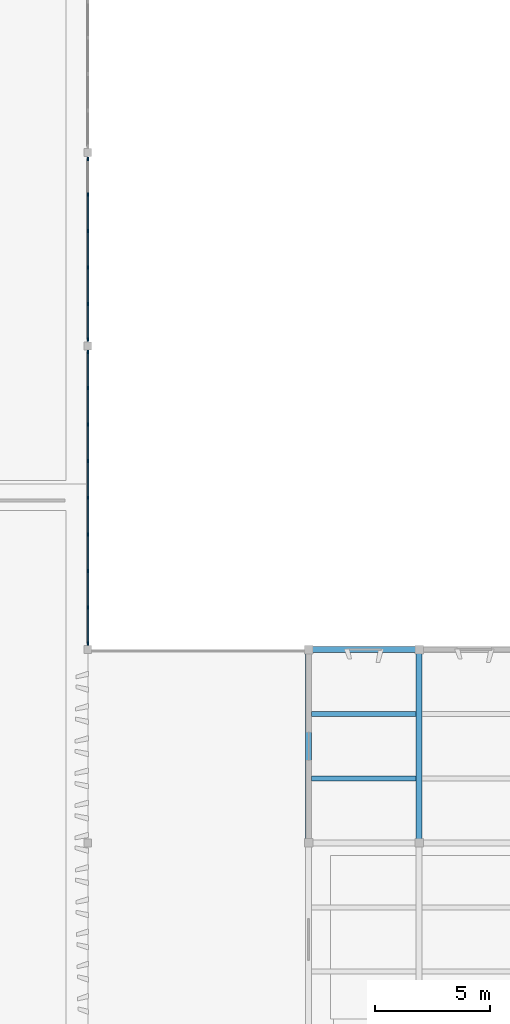
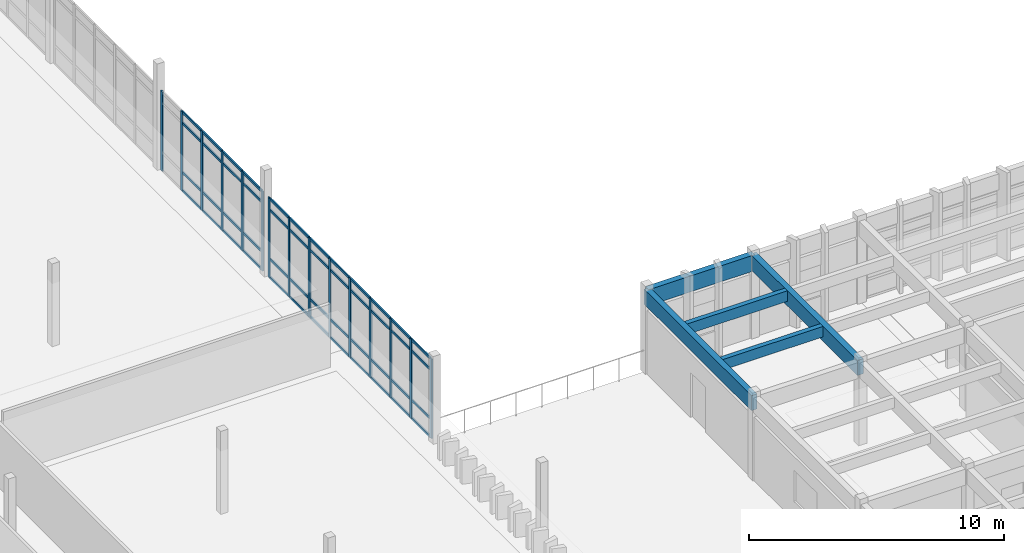
# One storey, part 4 of 42: 63 members, 5 beams, 2 elements without a shape of their own.
"""IFC4 building model written with IfcOpenShell, lengths in metres."""

from ifc_helpers import new_model, si_unit, direction, frame, origin, origin_2d, place, context, subcontext, project, spatial, rectangle, extrude, material, layer, layer_set, material_profile, profile_set, type_object, element, aggregate, save


model = new_model("IFC4")

# Units and contexts
model_context = context("Model", 3, precision=1e-05, world=origin(), true_north=direction((0.0, 1.0)))
body_context = subcontext(model_context, "Body", "Model", "MODEL_VIEW")
ifc_project = project(units=[si_unit("LENGTHUNIT", "METRE"), si_unit("AREAUNIT", "SQUARE_METRE"), si_unit("VOLUMEUNIT", "CUBIC_METRE"), si_unit("PLANEANGLEUNIT", "RADIAN"), si_unit("MASSUNIT", "GRAM", prefix="KILO")], contexts=[model_context])

# Site, building, storey
site_placement = place(None, origin())
site = spatial("IfcSite", under=ifc_project, at=site_placement, CompositionType="ELEMENT")
building_placement = place(site_placement, origin())
building = spatial("IfcBuilding", under=site, at=building_placement, Name="Kolvemor Railside Polytechnic", CompositionType="ELEMENT")
storey_placement = place(building_placement, frame((0.0, 0.0, 14.39990234375)))
storey = spatial("IfcBuildingStorey", under=building, at=storey_placement, Name="L03", CompositionType="ELEMENT", Elevation=14.39990234375)

# Beams
ifc_material_1 = material(Name="Glulam GL28h", Category="wood")
ifc_material_profile_1 = material_profile(ifc_material_1, rectangle(XDim=0.264892578125, YDim=0.760009765625, at=origin_2d()), Name="GL265x760")
ifc_profile_set_1 = profile_set([ifc_material_profile_1], Name="Glulam GL28h")
beam_type_1 = type_object("IfcBeamType", Name="BM-GL-GIRD1", PredefinedType="BEAM", material=ifc_profile_set_1)
beam_placement = place(storey_placement, frame((57.60009765625, 38.39990234375, 3.570068359375), z_axis=(1.0, 0.0, 0.0), x_axis=(0.0, 1.0, 0.0)))
element("IfcBeam", 1, at=beam_placement, inside=storey, type_object=beam_type_1, Name="Primary Girder L04-GX 1403", PredefinedType="BEAM", context=body_context, shape_type="SweptSolid", body=[
    extrude(rectangle(XDim=0.264892578125, YDim=0.760009765625, at=origin_2d()), origin(), (0.0, 0.0, 1.0), 4.7998046875),
])
ifc_material_2 = material(Name="Glulam GL28h", Category="wood")
ifc_material_profile_2 = material_profile(ifc_material_2, rectangle(XDim=0.264892578125, YDim=0.719970703125, at=origin_2d()), Name="GL265x720")
ifc_profile_set_2 = profile_set([ifc_material_profile_2], Name="Glulam GL28h")
beam_type_2 = type_object("IfcBeamType", Name="BM-GL-GIRD4", PredefinedType="BEAM", material=ifc_profile_set_2)
for number, where, z_axis, x_axis, name in (
    (2, (57.60009765625, 30.0, 3.590087890625), (0.0, 1.0, 0.0), (-1.0, 0.0, 0.0), "Primary Girder L04-GY 1415"),
    (3, (62.39990234375, 30.0, 3.590087890625), (0.0, 1.0, 0.0), (-1.0, 0.0, 0.0), "Primary Girder L04-GY 1419"),
):
    element("IfcBeam", number, at=place(storey_placement, frame(where, z_axis=z_axis, x_axis=x_axis)), inside=storey, type_object=beam_type_2, Name=name, PredefinedType="BEAM", context=body_context, shape_type="SweptSolid", body=[
        extrude(rectangle(XDim=0.264892578125, YDim=0.719970703125, at=origin_2d()), origin(), (0.0, 0.0, 1.0), 8.39990234375),
    ])
ifc_material_3 = material(Name="Glulam GL28h", Category="wood")
ifc_material_profile_3 = material_profile(ifc_material_3, rectangle(XDim=0.215087890625, YDim=0.5, at=origin_2d()), Name="GL215x500")
ifc_profile_set_3 = profile_set([ifc_material_profile_3], Name="Glulam GL28h")
beam_type_3 = type_object("IfcBeamType", Name="BM-GL-JST3", PredefinedType="JOIST", material=ifc_profile_set_3)
for number, where, z_axis, x_axis, name in (
    (4, (57.73291015625, 32.800048828125, 3.7001953125), (1.0, 0.0, 0.0), (0.0, 1.0, 0.0), "Floor Joist L04-J1458"),
    (5, (57.73291015625, 35.60009765625, 3.7001953125), (1.0, 0.0, 0.0), (0.0, 1.0, 0.0), "Floor Joist L04-J1459"),
):
    element("IfcBeam", number, at=place(storey_placement, frame(where, z_axis=z_axis, x_axis=x_axis)), inside=storey, type_object=beam_type_3, Name=name, PredefinedType="JOIST", context=body_context, shape_type="SweptSolid", body=[
        extrude(rectangle(XDim=0.215087890625, YDim=0.5, at=origin_2d()), origin(), (0.0, 0.0, 1.0), 4.5341796875),
    ])

# Curtain wall, members
ifc_material_4 = material(Name="Anodised marine aluminium and laminated low-E glass", Category="aluminium")
ifc_layer = layer(ifc_material_4, 0.179931640625, Name="CW-UNIT-STD")
ifc_layer_set = layer_set([ifc_layer], Name="Anodised marine aluminium and laminated low-E glass")
curtain_wall_type = type_object("IfcCurtainWallType", Name="CW-UNIT-STD", PredefinedType="USERDEFINED", material=ifc_layer_set)
curtain_wall_1_placement = place(storey_placement, origin())
curtain_wall_1 = element("IfcCurtainWall", 6, at=curtain_wall_1_placement, inside=storey, type_object=curtain_wall_type, Name="Curtain Wall L03-058", ObjectType="UNITISED CURTAIN WALL", PredefinedType="USERDEFINED")
ifc_material_5 = material(Name="Anodised marine aluminium 6063-T6", Category="aluminium")
ifc_material_profile_4 = material_profile(ifc_material_5, rectangle(XDim=0.06494140625, YDim=0.14990234375, at=origin_2d()), Name="CW-MUL-65x150")
ifc_profile_set_4 = profile_set([ifc_material_profile_4], Name="Anodised marine aluminium 6063-T6")
member_type_1 = type_object("IfcMemberType", Name="CWM-65x150", PredefinedType="MULLION", material=ifc_profile_set_4)
member_1_placement = place(storey_placement, frame((48.0, 38.672607421875, 0.0), z_axis=(0.0, 0.0, 1.0), x_axis=(-1.0, 0.0, 0.0)))
member_1 = element("IfcMember", 7, at=member_1_placement, type_object=member_type_1, Name="CW-STD mullion 1", PredefinedType="MULLION", context=body_context, shape_type="SweptSolid", body=[
    extrude(rectangle(XDim=0.06494140625, YDim=0.14990234375, at=origin_2d()), origin(), (0.0, 0.0, 1.0), 3.800048828125),
])
member_2_placement = place(storey_placement, frame((48.0, 40.22998046875, 0.0), z_axis=(0.0, 0.0, 1.0), x_axis=(-1.0, 0.0, 0.0)))
member_2 = element("IfcMember", 8, at=member_2_placement, type_object=member_type_1, Name="CW-STD mullion 2", PredefinedType="MULLION", context=body_context, shape_type="SweptSolid", body=[
    extrude(rectangle(XDim=0.06494140625, YDim=0.14990234375, at=origin_2d()), origin(), (0.0, 0.0, 1.0), 3.800048828125),
])
member_3_placement = place(storey_placement, frame((48.0, 41.820068359375, 0.0), z_axis=(0.0, 0.0, 1.0), x_axis=(-1.0, 0.0, 0.0)))
member_3 = element("IfcMember", 9, at=member_3_placement, type_object=member_type_1, Name="CW-STD mullion 3", PredefinedType="MULLION", context=body_context, shape_type="SweptSolid", body=[
    extrude(rectangle(XDim=0.06494140625, YDim=0.14990234375, at=origin_2d()), origin(), (0.0, 0.0, 1.0), 3.800048828125),
])
member_4_placement = place(storey_placement, frame((48.0, 43.409912109375, 0.0), z_axis=(0.0, 0.0, 1.0), x_axis=(-1.0, 0.0, 0.0)))
member_4 = element("IfcMember", 10, at=member_4_placement, type_object=member_type_1, Name="CW-STD mullion 4", PredefinedType="MULLION", context=body_context, shape_type="SweptSolid", body=[
    extrude(rectangle(XDim=0.06494140625, YDim=0.14990234375, at=origin_2d()), origin(), (0.0, 0.0, 1.0), 3.800048828125),
])
member_5_placement = place(storey_placement, frame((48.0, 45.0, 0.0), z_axis=(0.0, 0.0, 1.0), x_axis=(-1.0, 0.0, 0.0)))
member_5 = element("IfcMember", 11, at=member_5_placement, type_object=member_type_1, Name="CW-STD mullion 5", PredefinedType="MULLION", context=body_context, shape_type="SweptSolid", body=[
    extrude(rectangle(XDim=0.06494140625, YDim=0.14990234375, at=origin_2d()), origin(), (0.0, 0.0, 1.0), 3.800048828125),
])
member_6_placement = place(storey_placement, frame((48.0, 46.590087890625, 0.0), z_axis=(0.0, 0.0, 1.0), x_axis=(-1.0, 0.0, 0.0)))
member_6 = element("IfcMember", 12, at=member_6_placement, type_object=member_type_1, Name="CW-STD mullion 6", PredefinedType="MULLION", context=body_context, shape_type="SweptSolid", body=[
    extrude(rectangle(XDim=0.06494140625, YDim=0.14990234375, at=origin_2d()), origin(), (0.0, 0.0, 1.0), 3.800048828125),
])
member_7_placement = place(storey_placement, frame((48.0, 48.179931640625, 0.0), z_axis=(0.0, 0.0, 1.0), x_axis=(-1.0, 0.0, 0.0)))
member_7 = element("IfcMember", 13, at=member_7_placement, type_object=member_type_1, Name="CW-STD mullion 7", PredefinedType="MULLION", context=body_context, shape_type="SweptSolid", body=[
    extrude(rectangle(XDim=0.06494140625, YDim=0.14990234375, at=origin_2d()), origin(), (0.0, 0.0, 1.0), 3.800048828125),
])
member_8_placement = place(storey_placement, frame((48.0, 49.77001953125, 0.0), z_axis=(0.0, 0.0, 1.0), x_axis=(-1.0, 0.0, 0.0)))
member_8 = element("IfcMember", 14, at=member_8_placement, type_object=member_type_1, Name="CW-STD mullion 8", PredefinedType="MULLION", context=body_context, shape_type="SweptSolid", body=[
    extrude(rectangle(XDim=0.06494140625, YDim=0.14990234375, at=origin_2d()), origin(), (0.0, 0.0, 1.0), 3.800048828125),
])
member_9_placement = place(storey_placement, frame((48.0, 51.327392578125, 0.0), z_axis=(0.0, 0.0, 1.0), x_axis=(-1.0, 0.0, 0.0)))
member_9 = element("IfcMember", 15, at=member_9_placement, type_object=member_type_1, Name="CW-STD mullion 9", PredefinedType="MULLION", context=body_context, shape_type="SweptSolid", body=[
    extrude(rectangle(XDim=0.06494140625, YDim=0.14990234375, at=origin_2d()), origin(), (0.0, 0.0, 1.0), 3.800048828125),
])

curtain_wall_2_placement = place(storey_placement, origin())
curtain_wall_2 = element("IfcCurtainWall", 16, at=curtain_wall_2_placement, inside=storey, type_object=curtain_wall_type, Name="Curtain Wall L03-068", ObjectType="UNITISED CURTAIN WALL", PredefinedType="USERDEFINED")
member_10_placement = place(storey_placement, frame((48.0, 51.87255859375, 0.0), z_axis=(0.0, 0.0, 1.0), x_axis=(-1.0, 0.0, 0.0)))
member_10 = element("IfcMember", 17, at=member_10_placement, type_object=member_type_1, Name="CW-STD mullion 1", PredefinedType="MULLION", context=body_context, shape_type="SweptSolid", body=[
    extrude(rectangle(XDim=0.06494140625, YDim=0.14990234375, at=origin_2d()), origin(), (0.0, 0.0, 1.0), 3.800048828125),
])
member_11_placement = place(storey_placement, frame((48.0, 53.424072265625, 0.0), z_axis=(0.0, 0.0, 1.0), x_axis=(-1.0, 0.0, 0.0)))
member_11 = element("IfcMember", 18, at=member_11_placement, type_object=member_type_1, Name="CW-STD mullion 2", PredefinedType="MULLION", context=body_context, shape_type="SweptSolid", body=[
    extrude(rectangle(XDim=0.06494140625, YDim=0.14990234375, at=origin_2d()), origin(), (0.0, 0.0, 1.0), 3.800048828125),
])
member_12_placement = place(storey_placement, frame((48.0, 55.008056640625, 0.0), z_axis=(0.0, 0.0, 1.0), x_axis=(-1.0, 0.0, 0.0)))
member_12 = element("IfcMember", 19, at=member_12_placement, type_object=member_type_1, Name="CW-STD mullion 3", PredefinedType="MULLION", context=body_context, shape_type="SweptSolid", body=[
    extrude(rectangle(XDim=0.06494140625, YDim=0.14990234375, at=origin_2d()), origin(), (0.0, 0.0, 1.0), 3.800048828125),
])
member_13_placement = place(storey_placement, frame((48.0, 56.592041015625, 0.0), z_axis=(0.0, 0.0, 1.0), x_axis=(-1.0, 0.0, 0.0)))
member_13 = element("IfcMember", 20, at=member_13_placement, type_object=member_type_1, Name="CW-STD mullion 4", PredefinedType="MULLION", context=body_context, shape_type="SweptSolid", body=[
    extrude(rectangle(XDim=0.06494140625, YDim=0.14990234375, at=origin_2d()), origin(), (0.0, 0.0, 1.0), 3.800048828125),
])
member_14_placement = place(storey_placement, frame((48.0, 58.176025390625, 0.0), z_axis=(0.0, 0.0, 1.0), x_axis=(-1.0, 0.0, 0.0)))
member_14 = element("IfcMember", 21, at=member_14_placement, type_object=member_type_1, Name="CW-STD mullion 5", PredefinedType="MULLION", context=body_context, shape_type="SweptSolid", body=[
    extrude(rectangle(XDim=0.06494140625, YDim=0.14990234375, at=origin_2d()), origin(), (0.0, 0.0, 1.0), 3.800048828125),
])
member_15_placement = place(storey_placement, frame((48.0, 59.7275390625, 0.0), z_axis=(0.0, 0.0, 1.0), x_axis=(-1.0, 0.0, 0.0)))
member_15 = element("IfcMember", 22, at=member_15_placement, type_object=member_type_1, Name="CW-STD mullion 6", PredefinedType="MULLION", context=body_context, shape_type="SweptSolid", body=[
    extrude(rectangle(XDim=0.06494140625, YDim=0.14990234375, at=origin_2d()), origin(), (0.0, 0.0, 1.0), 3.800048828125),
])

# Member
ifc_material_6 = material(Name="Anodised marine aluminium 6063-T6", Category="aluminium")
ifc_material_profile_5 = material_profile(ifc_material_6, rectangle(XDim=0.06494140625, YDim=0.1201171875, at=origin_2d()), Name="CW-TRN-65x120")
ifc_profile_set_5 = profile_set([ifc_material_profile_5], Name="Anodised marine aluminium 6063-T6")
member_type_2 = type_object("IfcMemberType", Name="CWT-65x120", PredefinedType="USERDEFINED", material=ifc_profile_set_5)
member_16_placement = place(storey_placement, frame((48.0, 38.705078125, 0.03271484375), z_axis=(0.0, 1.0, 0.0), x_axis=(-1.0, 0.0, 0.0)))
member_16 = element("IfcMember", 23, at=member_16_placement, type_object=member_type_2, Name="CW-STD transom 1.1", ObjectType="TRANSOM", PredefinedType="USERDEFINED", context=body_context, shape_type="SweptSolid", body=[
    extrude(rectangle(XDim=0.06494140625, YDim=0.1201171875, at=origin_2d()), origin(), (0.0, 0.0, 1.0), 1.492431640625),
])

member_17_placement = place(storey_placement, frame((48.0, 38.705078125, 0.900146484375), z_axis=(0.0, 1.0, 0.0), x_axis=(-1.0, 0.0, 0.0)))
member_17 = element("IfcMember", 24, at=member_17_placement, type_object=member_type_2, Name="CW-STD transom 1.2", ObjectType="TRANSOM", PredefinedType="USERDEFINED", context=body_context, shape_type="SweptSolid", body=[
    extrude(rectangle(XDim=0.06494140625, YDim=0.1201171875, at=origin_2d()), origin(), (0.0, 0.0, 1.0), 1.492431640625),
])

member_18_placement = place(storey_placement, frame((48.0, 38.705078125, 3.25), z_axis=(0.0, 1.0, 0.0), x_axis=(-1.0, 0.0, 0.0)))
member_18 = element("IfcMember", 25, at=member_18_placement, type_object=member_type_2, Name="CW-STD transom 1.3", ObjectType="TRANSOM", PredefinedType="USERDEFINED", context=body_context, shape_type="SweptSolid", body=[
    extrude(rectangle(XDim=0.06494140625, YDim=0.1201171875, at=origin_2d()), origin(), (0.0, 0.0, 1.0), 1.492431640625),
])

member_19_placement = place(storey_placement, frame((48.0, 38.705078125, 3.767578125), z_axis=(0.0, 1.0, 0.0), x_axis=(-1.0, 0.0, 0.0)))
member_19 = element("IfcMember", 26, at=member_19_placement, type_object=member_type_2, Name="CW-STD transom 1.4", ObjectType="TRANSOM", PredefinedType="USERDEFINED", context=body_context, shape_type="SweptSolid", body=[
    extrude(rectangle(XDim=0.06494140625, YDim=0.1201171875, at=origin_2d()), origin(), (0.0, 0.0, 1.0), 1.492431640625),
])

member_20_placement = place(storey_placement, frame((48.0, 40.262451171875, 0.03271484375), z_axis=(0.0, 1.0, 0.0), x_axis=(-1.0, 0.0, 0.0)))
member_20 = element("IfcMember", 27, at=member_20_placement, type_object=member_type_2, Name="CW-STD transom 2.1", ObjectType="TRANSOM", PredefinedType="USERDEFINED", context=body_context, shape_type="SweptSolid", body=[
    extrude(rectangle(XDim=0.06494140625, YDim=0.1201171875, at=origin_2d()), origin(), (0.0, 0.0, 1.0), 1.525146484375),
])

member_21_placement = place(storey_placement, frame((48.0, 40.262451171875, 0.900146484375), z_axis=(0.0, 1.0, 0.0), x_axis=(-1.0, 0.0, 0.0)))
member_21 = element("IfcMember", 28, at=member_21_placement, type_object=member_type_2, Name="CW-STD transom 2.2", ObjectType="TRANSOM", PredefinedType="USERDEFINED", context=body_context, shape_type="SweptSolid", body=[
    extrude(rectangle(XDim=0.06494140625, YDim=0.1201171875, at=origin_2d()), origin(), (0.0, 0.0, 1.0), 1.525146484375),
])

member_22_placement = place(storey_placement, frame((48.0, 40.262451171875, 3.25), z_axis=(0.0, 1.0, 0.0), x_axis=(-1.0, 0.0, 0.0)))
member_22 = element("IfcMember", 29, at=member_22_placement, type_object=member_type_2, Name="CW-STD transom 2.3", ObjectType="TRANSOM", PredefinedType="USERDEFINED", context=body_context, shape_type="SweptSolid", body=[
    extrude(rectangle(XDim=0.06494140625, YDim=0.1201171875, at=origin_2d()), origin(), (0.0, 0.0, 1.0), 1.525146484375),
])

member_23_placement = place(storey_placement, frame((48.0, 40.262451171875, 3.767578125), z_axis=(0.0, 1.0, 0.0), x_axis=(-1.0, 0.0, 0.0)))
member_23 = element("IfcMember", 30, at=member_23_placement, type_object=member_type_2, Name="CW-STD transom 2.4", ObjectType="TRANSOM", PredefinedType="USERDEFINED", context=body_context, shape_type="SweptSolid", body=[
    extrude(rectangle(XDim=0.06494140625, YDim=0.1201171875, at=origin_2d()), origin(), (0.0, 0.0, 1.0), 1.525146484375),
])

member_24_placement = place(storey_placement, frame((48.0, 41.8525390625, 0.03271484375), z_axis=(0.0, 1.0, 0.0), x_axis=(-1.0, 0.0, 0.0)))
member_24 = element("IfcMember", 31, at=member_24_placement, type_object=member_type_2, Name="CW-STD transom 3.1", ObjectType="TRANSOM", PredefinedType="USERDEFINED", context=body_context, shape_type="SweptSolid", body=[
    extrude(rectangle(XDim=0.06494140625, YDim=0.1201171875, at=origin_2d()), origin(), (0.0, 0.0, 1.0), 1.52490234375),
])

member_25_placement = place(storey_placement, frame((48.0, 41.8525390625, 0.900146484375), z_axis=(0.0, 1.0, 0.0), x_axis=(-1.0, 0.0, 0.0)))
member_25 = element("IfcMember", 32, at=member_25_placement, type_object=member_type_2, Name="CW-STD transom 3.2", ObjectType="TRANSOM", PredefinedType="USERDEFINED", context=body_context, shape_type="SweptSolid", body=[
    extrude(rectangle(XDim=0.06494140625, YDim=0.1201171875, at=origin_2d()), origin(), (0.0, 0.0, 1.0), 1.52490234375),
])

member_26_placement = place(storey_placement, frame((48.0, 41.8525390625, 3.25), z_axis=(0.0, 1.0, 0.0), x_axis=(-1.0, 0.0, 0.0)))
member_26 = element("IfcMember", 33, at=member_26_placement, type_object=member_type_2, Name="CW-STD transom 3.3", ObjectType="TRANSOM", PredefinedType="USERDEFINED", context=body_context, shape_type="SweptSolid", body=[
    extrude(rectangle(XDim=0.06494140625, YDim=0.1201171875, at=origin_2d()), origin(), (0.0, 0.0, 1.0), 1.52490234375),
])

member_27_placement = place(storey_placement, frame((48.0, 41.8525390625, 3.767578125), z_axis=(0.0, 1.0, 0.0), x_axis=(-1.0, 0.0, 0.0)))
member_27 = element("IfcMember", 34, at=member_27_placement, type_object=member_type_2, Name="CW-STD transom 3.4", ObjectType="TRANSOM", PredefinedType="USERDEFINED", context=body_context, shape_type="SweptSolid", body=[
    extrude(rectangle(XDim=0.06494140625, YDim=0.1201171875, at=origin_2d()), origin(), (0.0, 0.0, 1.0), 1.52490234375),
])

member_28_placement = place(storey_placement, frame((48.0, 43.4423828125, 0.03271484375), z_axis=(0.0, 1.0, 0.0), x_axis=(-1.0, 0.0, 0.0)))
member_28 = element("IfcMember", 35, at=member_28_placement, type_object=member_type_2, Name="CW-STD transom 4.1", ObjectType="TRANSOM", PredefinedType="USERDEFINED", context=body_context, shape_type="SweptSolid", body=[
    extrude(rectangle(XDim=0.06494140625, YDim=0.1201171875, at=origin_2d()), origin(), (0.0, 0.0, 1.0), 1.525146484375),
])

member_29_placement = place(storey_placement, frame((48.0, 43.4423828125, 0.900146484375), z_axis=(0.0, 1.0, 0.0), x_axis=(-1.0, 0.0, 0.0)))
member_29 = element("IfcMember", 36, at=member_29_placement, type_object=member_type_2, Name="CW-STD transom 4.2", ObjectType="TRANSOM", PredefinedType="USERDEFINED", context=body_context, shape_type="SweptSolid", body=[
    extrude(rectangle(XDim=0.06494140625, YDim=0.1201171875, at=origin_2d()), origin(), (0.0, 0.0, 1.0), 1.525146484375),
])

member_30_placement = place(storey_placement, frame((48.0, 43.4423828125, 3.25), z_axis=(0.0, 1.0, 0.0), x_axis=(-1.0, 0.0, 0.0)))
member_30 = element("IfcMember", 37, at=member_30_placement, type_object=member_type_2, Name="CW-STD transom 4.3", ObjectType="TRANSOM", PredefinedType="USERDEFINED", context=body_context, shape_type="SweptSolid", body=[
    extrude(rectangle(XDim=0.06494140625, YDim=0.1201171875, at=origin_2d()), origin(), (0.0, 0.0, 1.0), 1.525146484375),
])

member_31_placement = place(storey_placement, frame((48.0, 43.4423828125, 3.767578125), z_axis=(0.0, 1.0, 0.0), x_axis=(-1.0, 0.0, 0.0)))
member_31 = element("IfcMember", 38, at=member_31_placement, type_object=member_type_2, Name="CW-STD transom 4.4", ObjectType="TRANSOM", PredefinedType="USERDEFINED", context=body_context, shape_type="SweptSolid", body=[
    extrude(rectangle(XDim=0.06494140625, YDim=0.1201171875, at=origin_2d()), origin(), (0.0, 0.0, 1.0), 1.525146484375),
])

member_32_placement = place(storey_placement, frame((48.0, 45.032470703125, 0.03271484375), z_axis=(0.0, 1.0, 0.0), x_axis=(-1.0, 0.0, 0.0)))
member_32 = element("IfcMember", 39, at=member_32_placement, type_object=member_type_2, Name="CW-STD transom 5.1", ObjectType="TRANSOM", PredefinedType="USERDEFINED", context=body_context, shape_type="SweptSolid", body=[
    extrude(rectangle(XDim=0.06494140625, YDim=0.1201171875, at=origin_2d()), origin(), (0.0, 0.0, 1.0), 1.525146484375),
])

member_33_placement = place(storey_placement, frame((48.0, 45.032470703125, 0.900146484375), z_axis=(0.0, 1.0, 0.0), x_axis=(-1.0, 0.0, 0.0)))
member_33 = element("IfcMember", 40, at=member_33_placement, type_object=member_type_2, Name="CW-STD transom 5.2", ObjectType="TRANSOM", PredefinedType="USERDEFINED", context=body_context, shape_type="SweptSolid", body=[
    extrude(rectangle(XDim=0.06494140625, YDim=0.1201171875, at=origin_2d()), origin(), (0.0, 0.0, 1.0), 1.525146484375),
])

member_34_placement = place(storey_placement, frame((48.0, 45.032470703125, 3.25), z_axis=(0.0, 1.0, 0.0), x_axis=(-1.0, 0.0, 0.0)))
member_34 = element("IfcMember", 41, at=member_34_placement, type_object=member_type_2, Name="CW-STD transom 5.3", ObjectType="TRANSOM", PredefinedType="USERDEFINED", context=body_context, shape_type="SweptSolid", body=[
    extrude(rectangle(XDim=0.06494140625, YDim=0.1201171875, at=origin_2d()), origin(), (0.0, 0.0, 1.0), 1.525146484375),
])

member_35_placement = place(storey_placement, frame((48.0, 45.032470703125, 3.767578125), z_axis=(0.0, 1.0, 0.0), x_axis=(-1.0, 0.0, 0.0)))
member_35 = element("IfcMember", 42, at=member_35_placement, type_object=member_type_2, Name="CW-STD transom 5.4", ObjectType="TRANSOM", PredefinedType="USERDEFINED", context=body_context, shape_type="SweptSolid", body=[
    extrude(rectangle(XDim=0.06494140625, YDim=0.1201171875, at=origin_2d()), origin(), (0.0, 0.0, 1.0), 1.525146484375),
])

member_36_placement = place(storey_placement, frame((48.0, 46.62255859375, 0.03271484375), z_axis=(0.0, 1.0, 0.0), x_axis=(-1.0, 0.0, 0.0)))
member_36 = element("IfcMember", 43, at=member_36_placement, type_object=member_type_2, Name="CW-STD transom 6.1", ObjectType="TRANSOM", PredefinedType="USERDEFINED", context=body_context, shape_type="SweptSolid", body=[
    extrude(rectangle(XDim=0.06494140625, YDim=0.1201171875, at=origin_2d()), origin(), (0.0, 0.0, 1.0), 1.52490234375),
])

member_37_placement = place(storey_placement, frame((48.0, 46.62255859375, 0.900146484375), z_axis=(0.0, 1.0, 0.0), x_axis=(-1.0, 0.0, 0.0)))
member_37 = element("IfcMember", 44, at=member_37_placement, type_object=member_type_2, Name="CW-STD transom 6.2", ObjectType="TRANSOM", PredefinedType="USERDEFINED", context=body_context, shape_type="SweptSolid", body=[
    extrude(rectangle(XDim=0.06494140625, YDim=0.1201171875, at=origin_2d()), origin(), (0.0, 0.0, 1.0), 1.52490234375),
])

member_38_placement = place(storey_placement, frame((48.0, 46.62255859375, 3.25), z_axis=(0.0, 1.0, 0.0), x_axis=(-1.0, 0.0, 0.0)))
member_38 = element("IfcMember", 45, at=member_38_placement, type_object=member_type_2, Name="CW-STD transom 6.3", ObjectType="TRANSOM", PredefinedType="USERDEFINED", context=body_context, shape_type="SweptSolid", body=[
    extrude(rectangle(XDim=0.06494140625, YDim=0.1201171875, at=origin_2d()), origin(), (0.0, 0.0, 1.0), 1.52490234375),
])

member_39_placement = place(storey_placement, frame((48.0, 46.62255859375, 3.767578125), z_axis=(0.0, 1.0, 0.0), x_axis=(-1.0, 0.0, 0.0)))
member_39 = element("IfcMember", 46, at=member_39_placement, type_object=member_type_2, Name="CW-STD transom 6.4", ObjectType="TRANSOM", PredefinedType="USERDEFINED", context=body_context, shape_type="SweptSolid", body=[
    extrude(rectangle(XDim=0.06494140625, YDim=0.1201171875, at=origin_2d()), origin(), (0.0, 0.0, 1.0), 1.52490234375),
])

member_40_placement = place(storey_placement, frame((48.0, 48.21240234375, 0.03271484375), z_axis=(0.0, 1.0, 0.0), x_axis=(-1.0, 0.0, 0.0)))
member_40 = element("IfcMember", 47, at=member_40_placement, type_object=member_type_2, Name="CW-STD transom 7.1", ObjectType="TRANSOM", PredefinedType="USERDEFINED", context=body_context, shape_type="SweptSolid", body=[
    extrude(rectangle(XDim=0.06494140625, YDim=0.1201171875, at=origin_2d()), origin(), (0.0, 0.0, 1.0), 1.525146484375),
])

member_41_placement = place(storey_placement, frame((48.0, 48.21240234375, 0.900146484375), z_axis=(0.0, 1.0, 0.0), x_axis=(-1.0, 0.0, 0.0)))
member_41 = element("IfcMember", 48, at=member_41_placement, type_object=member_type_2, Name="CW-STD transom 7.2", ObjectType="TRANSOM", PredefinedType="USERDEFINED", context=body_context, shape_type="SweptSolid", body=[
    extrude(rectangle(XDim=0.06494140625, YDim=0.1201171875, at=origin_2d()), origin(), (0.0, 0.0, 1.0), 1.525146484375),
])

member_42_placement = place(storey_placement, frame((48.0, 48.21240234375, 3.25), z_axis=(0.0, 1.0, 0.0), x_axis=(-1.0, 0.0, 0.0)))
member_42 = element("IfcMember", 49, at=member_42_placement, type_object=member_type_2, Name="CW-STD transom 7.3", ObjectType="TRANSOM", PredefinedType="USERDEFINED", context=body_context, shape_type="SweptSolid", body=[
    extrude(rectangle(XDim=0.06494140625, YDim=0.1201171875, at=origin_2d()), origin(), (0.0, 0.0, 1.0), 1.525146484375),
])

member_43_placement = place(storey_placement, frame((48.0, 48.21240234375, 3.767578125), z_axis=(0.0, 1.0, 0.0), x_axis=(-1.0, 0.0, 0.0)))
member_43 = element("IfcMember", 50, at=member_43_placement, type_object=member_type_2, Name="CW-STD transom 7.4", ObjectType="TRANSOM", PredefinedType="USERDEFINED", context=body_context, shape_type="SweptSolid", body=[
    extrude(rectangle(XDim=0.06494140625, YDim=0.1201171875, at=origin_2d()), origin(), (0.0, 0.0, 1.0), 1.525146484375),
])

member_44_placement = place(storey_placement, frame((48.0, 49.802490234375, 0.03271484375), z_axis=(0.0, 1.0, 0.0), x_axis=(-1.0, 0.0, 0.0)))
member_44 = element("IfcMember", 51, at=member_44_placement, type_object=member_type_2, Name="CW-STD transom 8.1", ObjectType="TRANSOM", PredefinedType="USERDEFINED", context=body_context, shape_type="SweptSolid", body=[
    extrude(rectangle(XDim=0.06494140625, YDim=0.1201171875, at=origin_2d()), origin(), (0.0, 0.0, 1.0), 1.492431640625),
])

member_45_placement = place(storey_placement, frame((48.0, 49.802490234375, 0.900146484375), z_axis=(0.0, 1.0, 0.0), x_axis=(-1.0, 0.0, 0.0)))
member_45 = element("IfcMember", 52, at=member_45_placement, type_object=member_type_2, Name="CW-STD transom 8.2", ObjectType="TRANSOM", PredefinedType="USERDEFINED", context=body_context, shape_type="SweptSolid", body=[
    extrude(rectangle(XDim=0.06494140625, YDim=0.1201171875, at=origin_2d()), origin(), (0.0, 0.0, 1.0), 1.492431640625),
])

member_46_placement = place(storey_placement, frame((48.0, 49.802490234375, 3.25), z_axis=(0.0, 1.0, 0.0), x_axis=(-1.0, 0.0, 0.0)))
member_46 = element("IfcMember", 53, at=member_46_placement, type_object=member_type_2, Name="CW-STD transom 8.3", ObjectType="TRANSOM", PredefinedType="USERDEFINED", context=body_context, shape_type="SweptSolid", body=[
    extrude(rectangle(XDim=0.06494140625, YDim=0.1201171875, at=origin_2d()), origin(), (0.0, 0.0, 1.0), 1.492431640625),
])

member_47_placement = place(storey_placement, frame((48.0, 49.802490234375, 3.767578125), z_axis=(0.0, 1.0, 0.0), x_axis=(-1.0, 0.0, 0.0)))
member_47 = element("IfcMember", 54, at=member_47_placement, type_object=member_type_2, Name="CW-STD transom 8.4", ObjectType="TRANSOM", PredefinedType="USERDEFINED", context=body_context, shape_type="SweptSolid", body=[
    extrude(rectangle(XDim=0.06494140625, YDim=0.1201171875, at=origin_2d()), origin(), (0.0, 0.0, 1.0), 1.492431640625),
])

aggregate(curtain_wall_1, [member_1, member_2, member_3, member_4, member_5, member_6, member_7, member_8, member_9, member_16, member_17, member_18, member_19, member_20, member_21, member_22, member_23, member_24, member_25, member_26, member_27, member_28, member_29, member_30, member_31, member_32, member_33, member_34, member_35, member_36, member_37, member_38, member_39, member_40, member_41, member_42, member_43, member_44, member_45, member_46, member_47])

member_48_placement = place(storey_placement, frame((48.0, 51.905029296875, 0.03271484375), z_axis=(0.0, 1.0, 0.0), x_axis=(-1.0, 0.0, 0.0)))
member_48 = element("IfcMember", 55, at=member_48_placement, type_object=member_type_2, Name="CW-STD transom 1.1", ObjectType="TRANSOM", PredefinedType="USERDEFINED", context=body_context, shape_type="SweptSolid", body=[
    extrude(rectangle(XDim=0.06494140625, YDim=0.1201171875, at=origin_2d()), origin(), (0.0, 0.0, 1.0), 1.486572265625),
])

member_49_placement = place(storey_placement, frame((48.0, 51.905029296875, 0.900146484375), z_axis=(0.0, 1.0, 0.0), x_axis=(-1.0, 0.0, 0.0)))
member_49 = element("IfcMember", 56, at=member_49_placement, type_object=member_type_2, Name="CW-STD transom 1.2", ObjectType="TRANSOM", PredefinedType="USERDEFINED", context=body_context, shape_type="SweptSolid", body=[
    extrude(rectangle(XDim=0.06494140625, YDim=0.1201171875, at=origin_2d()), origin(), (0.0, 0.0, 1.0), 1.486572265625),
])

member_50_placement = place(storey_placement, frame((48.0, 51.905029296875, 3.25), z_axis=(0.0, 1.0, 0.0), x_axis=(-1.0, 0.0, 0.0)))
member_50 = element("IfcMember", 57, at=member_50_placement, type_object=member_type_2, Name="CW-STD transom 1.3", ObjectType="TRANSOM", PredefinedType="USERDEFINED", context=body_context, shape_type="SweptSolid", body=[
    extrude(rectangle(XDim=0.06494140625, YDim=0.1201171875, at=origin_2d()), origin(), (0.0, 0.0, 1.0), 1.486572265625),
])

member_51_placement = place(storey_placement, frame((48.0, 51.905029296875, 3.767578125), z_axis=(0.0, 1.0, 0.0), x_axis=(-1.0, 0.0, 0.0)))
member_51 = element("IfcMember", 58, at=member_51_placement, type_object=member_type_2, Name="CW-STD transom 1.4", ObjectType="TRANSOM", PredefinedType="USERDEFINED", context=body_context, shape_type="SweptSolid", body=[
    extrude(rectangle(XDim=0.06494140625, YDim=0.1201171875, at=origin_2d()), origin(), (0.0, 0.0, 1.0), 1.486572265625),
])

member_52_placement = place(storey_placement, frame((48.0, 53.45654296875, 0.03271484375), z_axis=(0.0, 1.0, 0.0), x_axis=(-1.0, 0.0, 0.0)))
member_52 = element("IfcMember", 59, at=member_52_placement, type_object=member_type_2, Name="CW-STD transom 2.1", ObjectType="TRANSOM", PredefinedType="USERDEFINED", context=body_context, shape_type="SweptSolid", body=[
    extrude(rectangle(XDim=0.06494140625, YDim=0.1201171875, at=origin_2d()), origin(), (0.0, 0.0, 1.0), 1.51904296875),
])

member_53_placement = place(storey_placement, frame((48.0, 53.45654296875, 0.900146484375), z_axis=(0.0, 1.0, 0.0), x_axis=(-1.0, 0.0, 0.0)))
member_53 = element("IfcMember", 60, at=member_53_placement, type_object=member_type_2, Name="CW-STD transom 2.2", ObjectType="TRANSOM", PredefinedType="USERDEFINED", context=body_context, shape_type="SweptSolid", body=[
    extrude(rectangle(XDim=0.06494140625, YDim=0.1201171875, at=origin_2d()), origin(), (0.0, 0.0, 1.0), 1.51904296875),
])

member_54_placement = place(storey_placement, frame((48.0, 53.45654296875, 3.25), z_axis=(0.0, 1.0, 0.0), x_axis=(-1.0, 0.0, 0.0)))
member_54 = element("IfcMember", 61, at=member_54_placement, type_object=member_type_2, Name="CW-STD transom 2.3", ObjectType="TRANSOM", PredefinedType="USERDEFINED", context=body_context, shape_type="SweptSolid", body=[
    extrude(rectangle(XDim=0.06494140625, YDim=0.1201171875, at=origin_2d()), origin(), (0.0, 0.0, 1.0), 1.51904296875),
])

member_55_placement = place(storey_placement, frame((48.0, 53.45654296875, 3.767578125), z_axis=(0.0, 1.0, 0.0), x_axis=(-1.0, 0.0, 0.0)))
member_55 = element("IfcMember", 62, at=member_55_placement, type_object=member_type_2, Name="CW-STD transom 2.4", ObjectType="TRANSOM", PredefinedType="USERDEFINED", context=body_context, shape_type="SweptSolid", body=[
    extrude(rectangle(XDim=0.06494140625, YDim=0.1201171875, at=origin_2d()), origin(), (0.0, 0.0, 1.0), 1.51904296875),
])

member_56_placement = place(storey_placement, frame((48.0, 55.04052734375, 0.03271484375), z_axis=(0.0, 1.0, 0.0), x_axis=(-1.0, 0.0, 0.0)))
member_56 = element("IfcMember", 63, at=member_56_placement, type_object=member_type_2, Name="CW-STD transom 3.1", ObjectType="TRANSOM", PredefinedType="USERDEFINED", context=body_context, shape_type="SweptSolid", body=[
    extrude(rectangle(XDim=0.06494140625, YDim=0.1201171875, at=origin_2d()), origin(), (0.0, 0.0, 1.0), 1.51904296875),
])

member_57_placement = place(storey_placement, frame((48.0, 55.04052734375, 0.900146484375), z_axis=(0.0, 1.0, 0.0), x_axis=(-1.0, 0.0, 0.0)))
member_57 = element("IfcMember", 64, at=member_57_placement, type_object=member_type_2, Name="CW-STD transom 3.2", ObjectType="TRANSOM", PredefinedType="USERDEFINED", context=body_context, shape_type="SweptSolid", body=[
    extrude(rectangle(XDim=0.06494140625, YDim=0.1201171875, at=origin_2d()), origin(), (0.0, 0.0, 1.0), 1.51904296875),
])

member_58_placement = place(storey_placement, frame((48.0, 55.04052734375, 3.25), z_axis=(0.0, 1.0, 0.0), x_axis=(-1.0, 0.0, 0.0)))
member_58 = element("IfcMember", 65, at=member_58_placement, type_object=member_type_2, Name="CW-STD transom 3.3", ObjectType="TRANSOM", PredefinedType="USERDEFINED", context=body_context, shape_type="SweptSolid", body=[
    extrude(rectangle(XDim=0.06494140625, YDim=0.1201171875, at=origin_2d()), origin(), (0.0, 0.0, 1.0), 1.51904296875),
])

member_59_placement = place(storey_placement, frame((48.0, 55.04052734375, 3.767578125), z_axis=(0.0, 1.0, 0.0), x_axis=(-1.0, 0.0, 0.0)))
member_59 = element("IfcMember", 66, at=member_59_placement, type_object=member_type_2, Name="CW-STD transom 3.4", ObjectType="TRANSOM", PredefinedType="USERDEFINED", context=body_context, shape_type="SweptSolid", body=[
    extrude(rectangle(XDim=0.06494140625, YDim=0.1201171875, at=origin_2d()), origin(), (0.0, 0.0, 1.0), 1.51904296875),
])

member_60_placement = place(storey_placement, frame((48.0, 56.62451171875, 0.03271484375), z_axis=(0.0, 1.0, 0.0), x_axis=(-1.0, 0.0, 0.0)))
member_60 = element("IfcMember", 67, at=member_60_placement, type_object=member_type_2, Name="CW-STD transom 4.1", ObjectType="TRANSOM", PredefinedType="USERDEFINED", context=body_context, shape_type="SweptSolid", body=[
    extrude(rectangle(XDim=0.06494140625, YDim=0.1201171875, at=origin_2d()), origin(), (0.0, 0.0, 1.0), 1.51904296875),
])

member_61_placement = place(storey_placement, frame((48.0, 56.62451171875, 0.900146484375), z_axis=(0.0, 1.0, 0.0), x_axis=(-1.0, 0.0, 0.0)))
member_61 = element("IfcMember", 68, at=member_61_placement, type_object=member_type_2, Name="CW-STD transom 4.2", ObjectType="TRANSOM", PredefinedType="USERDEFINED", context=body_context, shape_type="SweptSolid", body=[
    extrude(rectangle(XDim=0.06494140625, YDim=0.1201171875, at=origin_2d()), origin(), (0.0, 0.0, 1.0), 1.51904296875),
])

member_62_placement = place(storey_placement, frame((48.0, 56.62451171875, 3.25), z_axis=(0.0, 1.0, 0.0), x_axis=(-1.0, 0.0, 0.0)))
member_62 = element("IfcMember", 69, at=member_62_placement, type_object=member_type_2, Name="CW-STD transom 4.3", ObjectType="TRANSOM", PredefinedType="USERDEFINED", context=body_context, shape_type="SweptSolid", body=[
    extrude(rectangle(XDim=0.06494140625, YDim=0.1201171875, at=origin_2d()), origin(), (0.0, 0.0, 1.0), 1.51904296875),
])

member_63_placement = place(storey_placement, frame((48.0, 56.62451171875, 3.767578125), z_axis=(0.0, 1.0, 0.0), x_axis=(-1.0, 0.0, 0.0)))
member_63 = element("IfcMember", 70, at=member_63_placement, type_object=member_type_2, Name="CW-STD transom 4.4", ObjectType="TRANSOM", PredefinedType="USERDEFINED", context=body_context, shape_type="SweptSolid", body=[
    extrude(rectangle(XDim=0.06494140625, YDim=0.1201171875, at=origin_2d()), origin(), (0.0, 0.0, 1.0), 1.51904296875),
])

aggregate(curtain_wall_2, [member_10, member_11, member_12, member_13, member_14, member_15, member_48, member_49, member_50, member_51, member_52, member_53, member_54, member_55, member_56, member_57, member_58, member_59, member_60, member_61, member_62, member_63])

save(model, "model.ifc")
